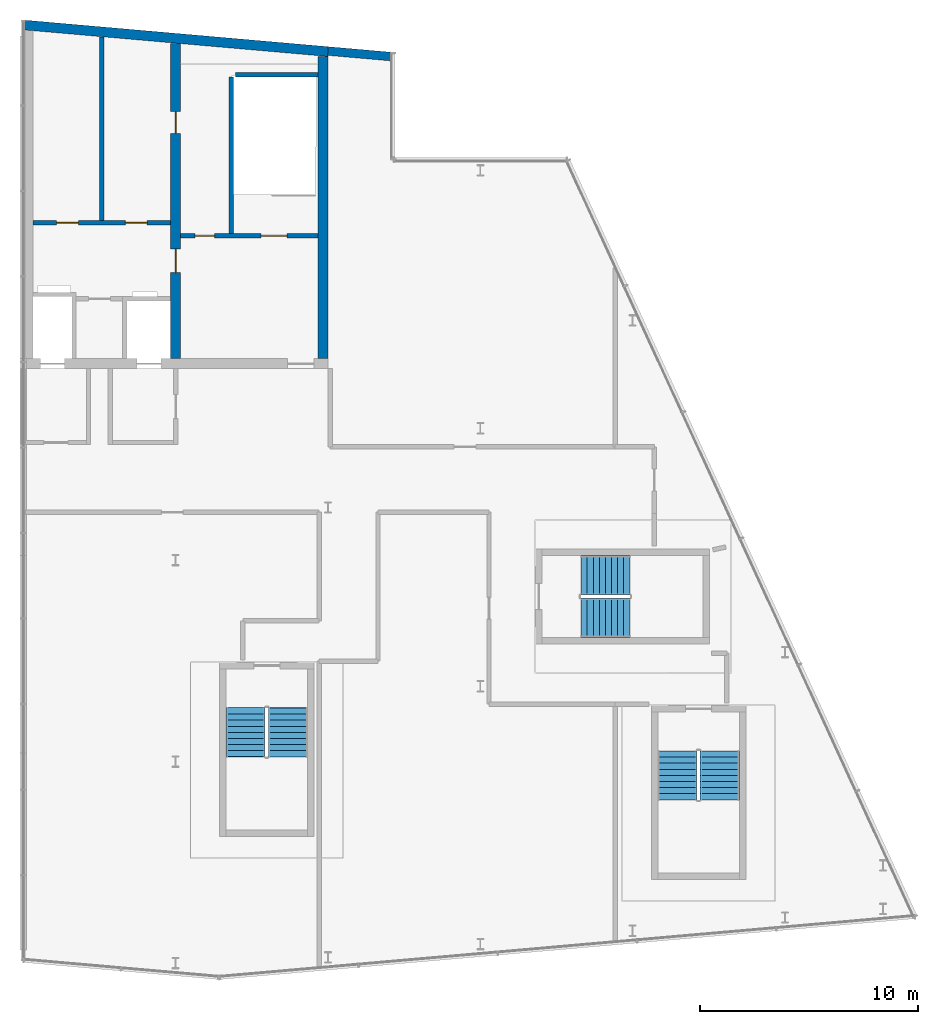
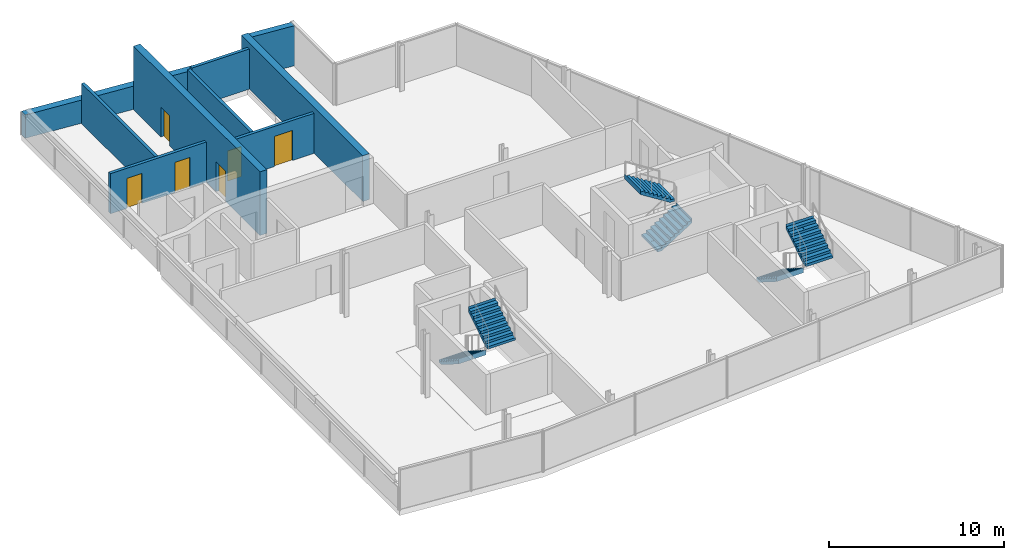
# One storey, part 9 of 10: 9 walls, 6 doors, 6 stair flights, 6 openings, 3 elements without a shape of their own.
"""IFC4 building model written with IfcOpenShell, lengths in metres."""

from ifc_helpers import new_model, si_unit, direction, frame, frame_2d, origin, place, context, subcontext, project, spatial, polyline, rectangle, outline, extrude, material, layer, layer_set, type_object, element, fill, aggregate, save


model = new_model("IFC4")

# Units and contexts
model_context = context("Model", 3, precision=1e-05, world=origin(), true_north=direction((0.0, 1.0)))
body_context = subcontext(model_context, "Body", "Model", "MODEL_VIEW")
ifc_project = project(units=[si_unit("LENGTHUNIT", "METRE"), si_unit("AREAUNIT", "SQUARE_METRE"), si_unit("VOLUMEUNIT", "CUBIC_METRE"), si_unit("PLANEANGLEUNIT", "RADIAN"), si_unit("MASSUNIT", "GRAM", prefix="KILO")], contexts=[model_context])

# Site, building, storey
site_placement = place(None, origin())
site = spatial("IfcSite", under=ifc_project, at=site_placement, CompositionType="ELEMENT")
building_placement = place(site_placement, origin())
building = spatial("IfcBuilding", under=site, at=building_placement, Name="Wharfspan Tower", CompositionType="ELEMENT")
storey_placement = place(building_placement, frame((0.0, 0.0, 267.5)))
storey = spatial("IfcBuildingStorey", under=building, at=storey_placement, Name="L68", CompositionType="ELEMENT", Elevation=267.5)

# Walls
ifc_material_1 = material(Name="Calcium silicate masonry", Category="masonry")
ifc_layer_1 = layer(ifc_material_1, 0.199951)
ifc_layer_set_1 = layer_set([ifc_layer_1], Name="Calcium silicate masonry")
wall_type_1 = type_object("IfcWallType", Name="Core room wall 200", PredefinedType="PARTITIONING", material=ifc_layer_set_1)
wall_1_placement = place(storey_placement, frame((40.612549, 40.800049, 0.0), z_axis=(0.0, 0.0, 1.0), x_axis=(0.0, 1.0, 0.0)))
element("IfcWall", 1, at=wall_1_placement, inside=storey, type_object=wall_type_1, Name="sw:L68:RP4.1", PredefinedType="PARTITIONING", context=body_context, shape_type="SweptSolid", body=[
    extrude(rectangle(XDim=8.424561, YDim=0.199951, at=frame_2d((4.212402, 0.0))), origin(), (0.0, 0.0, 1.0), 2.800049),
])
ifc_material_2 = material(Name="Concrete C50/60", Category="concrete")
ifc_layer_2 = layer(ifc_material_2, 0.449951)
ifc_layer_set_2 = layer_set([ifc_layer_2], Name="Concrete C50/60")
wall_type_2 = type_object("IfcWallType", Name="Core wall 450 C50/60", PredefinedType="SHEAR", material=ifc_layer_set_2)
wall_2_placement = place(storey_placement, frame((0.0, 0.0, -0.000244)))
element("IfcWall", 2, at=wall_2_placement, inside=storey, type_object=wall_type_2, Name="Core rear wall L68", PredefinedType="SHEAR", context=body_context, shape_type="SweptSolid", body=[
    extrude(outline(polyline([(37.0, 49.560547), (51.0, 48.335693), (51.0, 48.787354), (37.0, 50.012207), (37.0, 49.560547)])), origin(), (0.0, 0.0, 1.0), 1.62207),
])

# Wall, openings, doors
wall_3_placement = place(storey_placement, frame((44.0, 34.449951, 0.0), z_axis=(0.0, 0.0, 1.0), x_axis=(0.0, 1.0, 0.0)))
wall_3 = element("IfcWall", 3, at=wall_3_placement, inside=storey, type_object=wall_type_2, Name="Core cross wall X5 L68", PredefinedType="SHEAR", context=body_context, shape_type="SweptSolid", body=[
    extrude(rectangle(XDim=14.478516, YDim=0.449951, at=frame_2d((7.239258, 0.0))), origin(), (0.0, 0.0, 1.0), 4.450195),
])
opening_1_placement = place(wall_3_placement, frame((3.949951, 0.0, 0.0)))
opening_1 = element("IfcOpeningElement", 4, at=opening_1_placement, cuts=wall_3, Name="Opening CC68.5", PredefinedType="OPENING", context=body_context, shape_type="SweptSolid", body=[
    extrude(rectangle(XDim=1.100098, YDim=2.100098, at=frame_2d((0.550049, 1.050049))), frame((0.0, 0.234863, 0.0), z_axis=(0.0, -1.0, 0.0), x_axis=(1.0, 0.0, 0.0)), (0.0, 0.0, 1.0), 0.469971),
])
opening_2_placement = place(wall_3_placement, frame((10.350098, 0.0, 0.0)))
opening_2 = element("IfcOpeningElement", 5, at=opening_2_placement, cuts=wall_3, Name="Opening CR68.5", PredefinedType="OPENING", context=body_context, shape_type="SweptSolid", body=[
    extrude(rectangle(XDim=1.0, YDim=2.100098, at=frame_2d((0.5, 1.050049))), frame((0.0, 0.234863, 0.0), z_axis=(0.0, -1.0, 0.0), x_axis=(1.0, 0.0, 0.0)), (0.0, 0.0, 1.0), 0.469971),
])
ifc_material_3 = material(Name="Steel door leaf", Category="steel")
door_type_1 = type_object("IfcDoorType", Name="Core corridor door 1100x2100", OperationType="SINGLE_SWING_LEFT", PredefinedType="DOOR", material=ifc_material_3)
door_1_placement = place(opening_1_placement, origin())
door_1 = element("IfcDoor", 6, at=door_1_placement, inside=storey, type_object=door_type_1, Name="xd:L68:5", OperationType="SINGLE_SWING_LEFT", OverallHeight=2.100098, OverallWidth=1.100098, PredefinedType="DOOR", context=body_context, shape_type="SweptSolid", body=[
    extrude(rectangle(XDim=1.100098, YDim=2.100098, at=frame_2d((0.550049, 1.050049))), frame((0.0, 0.024902, 0.0), z_axis=(0.0, -1.0, 0.0), x_axis=(1.0, 0.0, 0.0)), (0.0, 0.0, 1.0), 0.050049),
])
fill(opening_1, door_1)
door_type_2 = type_object("IfcDoorType", Name="Core room door 1000x2100", OperationType="SINGLE_SWING_LEFT", PredefinedType="DOOR", material=ifc_material_3)
door_2_placement = place(opening_2_placement, origin())
door_2 = element("IfcDoor", 7, at=door_2_placement, inside=storey, type_object=door_type_2, Name="xr:L68:5", OperationType="SINGLE_SWING_RIGHT", OverallHeight=2.100098, OverallWidth=1.0, PredefinedType="DOOR", context=body_context, shape_type="SweptSolid", body=[
    extrude(rectangle(XDim=1.0, YDim=2.100098, at=frame_2d((0.5, 1.050049))), frame((0.0, 0.024902, 0.0), z_axis=(0.0, -1.0, 0.0), x_axis=(1.0, 0.0, 0.0)), (0.0, 0.0, 1.0), 0.050049),
])
fill(opening_2, door_2)

# Wall
wall_4_placement = place(storey_placement, frame((50.774902, 34.449951, 0.0), z_axis=(0.0, 0.0, 1.0), x_axis=(0.0, 1.0, 0.0)))
element("IfcWall", 8, at=wall_4_placement, inside=storey, type_object=wall_type_2, Name="Core cross wall EW1 L68", PredefinedType="SHEAR", context=body_context, shape_type="SweptSolid", body=[
    extrude(rectangle(XDim=13.885742, YDim=0.449951, at=frame_2d((6.942871, 0.0))), origin(), (0.0, 0.0, 1.0), 3.199951),
])

# Wall, openings, doors
ifc_material_4 = material(Name="Concrete C30/37", Category="concrete")
ifc_layer_3 = layer(ifc_material_4, 0.199951)
ifc_layer_set_3 = layer_set([ifc_layer_3], Name="Concrete C30/37")
wall_type_3 = type_object("IfcWallType", Name="Lift shaft wall 200", PredefinedType="PARTITIONING", material=ifc_layer_set_3)
wall_5_placement = place(storey_placement, frame((37.449951, 40.699951, 0.0), z_axis=(0.0, 0.0, 1.0), x_axis=(1.0, 0.0, 0.0)))
wall_5 = element("IfcWall", 9, at=wall_5_placement, inside=storey, type_object=wall_type_3, Name="sw:L68:RF4", PredefinedType="PARTITIONING", context=body_context, shape_type="SweptSolid", body=[
    extrude(rectangle(XDim=6.324951, YDim=0.199951, at=frame_2d((3.162598, 0.0))), origin(), (0.0, 0.0, 1.0), 2.800049),
])
opening_3_placement = place(wall_5_placement, frame((1.081299, 0.0, 0.0)))
opening_3 = element("IfcOpeningElement", 10, at=opening_3_placement, cuts=wall_5, Name="Opening CD68.4S", PredefinedType="OPENING", context=body_context, shape_type="SweptSolid", body=[
    extrude(rectangle(XDim=1.0, YDim=2.100098, at=frame_2d((0.5, 1.050049))), frame((0.0, 0.109863, 0.0), z_axis=(0.0, -1.0, 0.0), x_axis=(1.0, 0.0, 0.0)), (0.0, 0.0, 1.0), 0.219971),
])
opening_4_placement = place(wall_5_placement, frame((4.243652, 0.0, 0.0)))
opening_4 = element("IfcOpeningElement", 11, at=opening_4_placement, cuts=wall_5, Name="Opening CD68.4Sa", PredefinedType="OPENING", context=body_context, shape_type="SweptSolid", body=[
    extrude(rectangle(XDim=1.0, YDim=2.100098, at=frame_2d((0.5, 1.050049))), frame((0.0, 0.109863, 0.0), z_axis=(0.0, -1.0, 0.0), x_axis=(1.0, 0.0, 0.0)), (0.0, 0.0, 1.0), 0.219971),
])
door_3_placement = place(opening_3_placement, origin())
door_3 = element("IfcDoor", 12, at=door_3_placement, inside=storey, type_object=door_type_2, Name="d:L68:4:sf", OperationType="SINGLE_SWING_LEFT", OverallHeight=2.100098, OverallWidth=1.0, PredefinedType="DOOR", context=body_context, shape_type="SweptSolid", body=[
    extrude(rectangle(XDim=1.0, YDim=2.100098, at=frame_2d((0.5, 1.050049))), frame((0.0, 0.024902, 0.0), z_axis=(0.0, -1.0, 0.0), x_axis=(1.0, 0.0, 0.0)), (0.0, 0.0, 1.0), 0.050049),
])
fill(opening_3, door_3)
door_4_placement = place(opening_4_placement, origin())
door_4 = element("IfcDoor", 13, at=door_4_placement, inside=storey, type_object=door_type_2, Name="d:L68:4:sf1", OperationType="SINGLE_SWING_LEFT", OverallHeight=2.100098, OverallWidth=1.0, PredefinedType="DOOR", context=body_context, shape_type="SweptSolid", body=[
    extrude(rectangle(XDim=1.0, YDim=2.100098, at=frame_2d((0.5, 1.050049))), frame((0.0, 0.024902, 0.0), z_axis=(0.0, -1.0, 0.0), x_axis=(1.0, 0.0, 0.0)), (0.0, 0.0, 1.0), 0.050049),
])
fill(opening_4, door_4)

ifc_material_5 = material(Name="Concrete C40/50", Category="concrete")
ifc_layer_4 = layer(ifc_material_5, 0.199951)
ifc_layer_set_4 = layer_set([ifc_layer_4], Name="Concrete C40/50")
wall_type_4 = type_object("IfcWallType", Name="Stair shaft wall 200", PredefinedType="SHEAR", material=ifc_layer_set_4)
wall_6_placement = place(storey_placement, frame((44.225098, 40.100098, 0.0), z_axis=(0.0, 0.0, 1.0), x_axis=(1.0, 0.0, 0.0)))
wall_6 = element("IfcWall", 14, at=wall_6_placement, inside=storey, type_object=wall_type_4, Name="ST2 stair enclosure wall L68", PredefinedType="SHEAR", context=body_context, shape_type="SweptSolid", body=[
    extrude(rectangle(XDim=6.324951, YDim=0.199951, at=frame_2d((3.162598, 0.0))), origin(), (0.0, 0.0, 1.0), 2.800049),
])
opening_5_placement = place(wall_6_placement, frame((3.699951, 0.0, 0.0)))
opening_5 = element("IfcOpeningElement", 15, at=opening_5_placement, cuts=wall_6, Name="Opening SD5.L68", PredefinedType="OPENING", context=body_context, shape_type="SweptSolid", body=[
    extrude(rectangle(XDim=1.199951, YDim=2.100098, at=frame_2d((0.600098, 1.050049))), frame((0.0, 0.109863, 0.0), z_axis=(0.0, -1.0, 0.0), x_axis=(1.0, 0.0, 0.0)), (0.0, 0.0, 1.0), 0.219971),
])
opening_6_placement = place(wall_6_placement, frame((0.662598, 0.0, 0.0)))
opening_6 = element("IfcOpeningElement", 16, at=opening_6_placement, cuts=wall_6, Name="Opening CD68.5R", PredefinedType="OPENING", context=body_context, shape_type="SweptSolid", body=[
    extrude(rectangle(XDim=0.899902, YDim=2.100098, at=frame_2d((0.449951, 1.050049))), frame((0.0, 0.109863, 0.0), z_axis=(0.0, -1.0, 0.0), x_axis=(1.0, 0.0, 0.0)), (0.0, 0.0, 1.0), 0.219971),
])
door_5_placement = place(opening_6_placement, origin())
door_5 = element("IfcDoor", 17, at=door_5_placement, inside=storey, type_object=door_type_2, Name="rk:L68:5", OperationType="SINGLE_SWING_LEFT", OverallHeight=2.100098, OverallWidth=0.899902, PredefinedType="DOOR", context=body_context, shape_type="SweptSolid", body=[
    extrude(rectangle(XDim=0.899902, YDim=2.100098, at=frame_2d((0.449951, 1.050049))), frame((0.0, 0.024902, 0.0), z_axis=(0.0, -1.0, 0.0), x_axis=(1.0, 0.0, 0.0)), (0.0, 0.0, 1.0), 0.050049),
])
fill(opening_6, door_5)
door_type_3 = type_object("IfcDoorType", Name="Stair door 1200x2100", OperationType="SINGLE_SWING_LEFT", PredefinedType="DOOR", material=ifc_material_3)
door_6_placement = place(opening_5_placement, origin())
door_6 = element("IfcDoor", 18, at=door_6_placement, inside=storey, type_object=door_type_3, Name="sd:L68:5", OperationType="SINGLE_SWING_RIGHT", OverallHeight=2.100098, OverallWidth=1.199951, PredefinedType="DOOR", context=body_context, shape_type="SweptSolid", body=[
    extrude(rectangle(XDim=1.199951, YDim=2.100098, at=frame_2d((0.600098, 1.050049))), frame((0.0, 0.024902, 0.0), z_axis=(0.0, -1.0, 0.0), x_axis=(1.0, 0.0, 0.0)), (0.0, 0.0, 1.0), 0.050049),
])
fill(opening_5, door_6)

# Walls
wall_7_placement = place(storey_placement, frame((46.550049, 40.199951, 0.0), z_axis=(0.0, 0.0, 1.0), x_axis=(0.0, 1.0, 0.0)))
element("IfcWall", 19, at=wall_7_placement, inside=storey, type_object=wall_type_4, Name="ST2 stair enclosure wall L68", PredefinedType="SHEAR", context=body_context, shape_type="SweptSolid", body=[
    extrude(rectangle(XDim=7.199951, YDim=0.199951, at=frame_2d((3.600098, 0.0))), origin(), (0.0, 0.0, 1.0), 2.800049),
])
wall_8_placement = place(storey_placement, frame((46.75, 47.5, 0.0), z_axis=(0.0, 0.0, 1.0), x_axis=(1.0, 0.0, 0.0)))
element("IfcWall", 20, at=wall_8_placement, inside=storey, type_object=wall_type_4, Name="ST2 stair enclosure wall L68", PredefinedType="SHEAR", context=body_context, shape_type="SweptSolid", body=[
    extrude(rectangle(XDim=3.800049, YDim=0.199951, at=frame_2d((1.899902, 0.0))), origin(), (0.0, 0.0, 1.0), 2.800049),
])
ifc_layer_5 = layer(ifc_material_5, 0.399902)
ifc_layer_set_5 = layer_set([ifc_layer_5], Name="Concrete C40/50")
wall_type_5 = type_object("IfcWallType", Name="WALL EXPOSED CONCRETE 400", PredefinedType="SOLIDWALL", material=ifc_layer_set_5)
wall_9_placement = place(storey_placement, frame((53.982666, 48.325684, 0.0), z_axis=(0.0, 0.0, 1.0), x_axis=(-0.996194, 0.087168, 0.0)))
element("IfcWall", 21, at=wall_9_placement, inside=storey, type_object=wall_type_5, Name="Rear wall N2", PredefinedType="SOLIDWALL", context=body_context, shape_type="SweptSolid", body=[
    extrude(rectangle(XDim=2.994141, YDim=0.399902, at=frame_2d((1.49707, 0.0))), origin(), (0.0, 0.0, 1.0), 2.800049),
])

# Stair, stair flights
stair_type = type_object("IfcStairType", Name="Half-turn stair 18 risers 178 mm", PredefinedType="HALF_TURN_STAIR", material=ifc_material_5)
stair_1_placement = place(storey_placement, origin())
stair_1 = element("IfcStair", 22, at=stair_1_placement, inside=storey, type_object=stair_type, Name="L68 stair ST7", PredefinedType="HALF_TURN_STAIR")
stair_flight_type = type_object("IfcStairFlightType", Name="Stair flight 18 risers 178 mm", PredefinedType="STRAIGHT", material=ifc_material_5)
stair_flight_1_placement = place(storey_placement, frame((67.056641, 16.421631, 0.0), z_axis=(0.0, 0.0, 1.0), x_axis=(0.0, -1.0, 0.0)))
stair_flight_1 = element("IfcStairFlight", 23, at=stair_flight_1_placement, type_object=stair_flight_type, Name="ST7 flight 1", NumberOfRisers=9, NumberOfTreads=8, PredefinedType="STRAIGHT", RiserHeight=0.177778, TreadLength=0.28, context=body_context, shape_type="SweptSolid", body=[
    extrude(outline(polyline([(-0.011963, 0.0), (-0.011963, 0.177734), (0.0, 0.177734), (0.280029, 0.177734), (0.280029, 0.355469), (0.560059, 0.355469), (0.560059, 0.533447), (0.840088, 0.533447), (0.840088, 0.711182), (1.120117, 0.711182), (1.120117, 0.888916), (1.399902, 0.888916), (1.399902, 1.06665), (1.679932, 1.06665), (1.679932, 1.244385), (1.959961, 1.244385), (1.959961, 1.422119), (2.23999, 1.422119), (2.251953, 1.600098), (2.251953, 1.244629), (0.279785, 0.0), (-0.011963, 0.0)])), frame((0.0, 0.899902, 0.0), z_axis=(0.0, -1.0, 0.0), x_axis=(1.0, 0.0, 0.0)), (0.0, 0.0, 1.0), 0.899414),
    extrude(outline(polyline([(-0.011963, 0.0), (-0.011963, 0.177734), (0.0, 0.177734), (0.280029, 0.177734), (0.280029, 0.355469), (0.560059, 0.355469), (0.560059, 0.533447), (0.840088, 0.533447), (0.840088, 0.711182), (1.120117, 0.711182), (1.120117, 0.888916), (1.399902, 0.888916), (1.399902, 1.06665), (1.679932, 1.06665), (1.679932, 1.244385), (1.959961, 1.244385), (1.959961, 1.422119), (2.23999, 1.422119), (2.251953, 1.600098), (2.251953, 1.244629), (0.279785, 0.0), (-0.011963, 0.0)])), frame((0.0, -0.000488, 0.0), z_axis=(0.0, -1.0, 0.0), x_axis=(1.0, 0.0, 0.0)), (0.0, 0.0, 1.0), 0.899414),
])
stair_flight_2_placement = place(storey_placement, frame((69.006592, 14.181641, 1.600098), z_axis=(0.0, 0.0, 1.0), x_axis=(0.0, 1.0, 0.0)))
stair_flight_2 = element("IfcStairFlight", 24, at=stair_flight_2_placement, type_object=stair_flight_type, Name="ST7 flight 2", NumberOfRisers=9, NumberOfTreads=8, PredefinedType="STRAIGHT", RiserHeight=0.177778, TreadLength=0.28, context=body_context, shape_type="SweptSolid", body=[
    extrude(outline(polyline([(-0.011963, 0.0), (-0.011963, 0.177734), (0.0, 0.177734), (0.280029, 0.177734), (0.280029, 0.355469), (0.560059, 0.355469), (0.560059, 0.533447), (0.840088, 0.533447), (0.840088, 0.711182), (1.120117, 0.711182), (1.120117, 0.888916), (1.399902, 0.888916), (1.399902, 1.06665), (1.679932, 1.06665), (1.679932, 1.244385), (1.959961, 1.244385), (1.959961, 1.422119), (2.23999, 1.422119), (2.251953, 1.600098), (2.251953, 1.244629), (0.279785, 0.0), (-0.011963, 0.0)])), frame((0.0, 0.899902, 0.0), z_axis=(0.0, -1.0, 0.0), x_axis=(1.0, 0.0, 0.0)), (0.0, 0.0, 1.0), 0.899414),
    extrude(outline(polyline([(-0.011963, 0.0), (-0.011963, 0.177734), (0.0, 0.177734), (0.280029, 0.177734), (0.280029, 0.355469), (0.560059, 0.355469), (0.560059, 0.533447), (0.840088, 0.533447), (0.840088, 0.711182), (1.120117, 0.711182), (1.120117, 0.888916), (1.399902, 0.888916), (1.399902, 1.06665), (1.679932, 1.06665), (1.679932, 1.244385), (1.959961, 1.244385), (1.959961, 1.422119), (2.23999, 1.422119), (2.251953, 1.600098), (2.251953, 1.244629), (0.279785, 0.0), (-0.011963, 0.0)])), frame((0.0, -0.000488, 0.0), z_axis=(0.0, -1.0, 0.0), x_axis=(1.0, 0.0, 0.0)), (0.0, 0.0, 1.0), 0.899414),
])
aggregate(stair_1, [stair_flight_1, stair_flight_2])

stair_2_placement = place(storey_placement, origin())
stair_2 = element("IfcStair", 25, at=stair_2_placement, inside=storey, type_object=stair_type, Name="L68 stair ST8", PredefinedType="HALF_TURN_STAIR")
stair_flight_3_placement = place(storey_placement, frame((62.631592, 22.546631, 0.0), z_axis=(0.0, 0.0, 1.0), x_axis=(1.0, 0.0, 0.0)))
stair_flight_3 = element("IfcStairFlight", 26, at=stair_flight_3_placement, type_object=stair_flight_type, Name="ST8 flight 1", NumberOfRisers=9, NumberOfTreads=8, PredefinedType="STRAIGHT", RiserHeight=0.177778, TreadLength=0.28, context=body_context, shape_type="SweptSolid", body=[
    extrude(outline(polyline([(-0.011963, 0.0), (-0.011963, 0.177734), (0.0, 0.177734), (0.280029, 0.177734), (0.280029, 0.355469), (0.560059, 0.355469), (0.560059, 0.533447), (0.840088, 0.533447), (0.840088, 0.711182), (1.120117, 0.711182), (1.120117, 0.888916), (1.399902, 0.888916), (1.399902, 1.06665), (1.679932, 1.06665), (1.679932, 1.244385), (1.959961, 1.244385), (1.959961, 1.422119), (2.23999, 1.422119), (2.251953, 1.600098), (2.251953, 1.244629), (0.279785, 0.0), (-0.011963, 0.0)])), frame((0.0, 0.899902, 0.0), z_axis=(0.0, -1.0, 0.0), x_axis=(1.0, 0.0, 0.0)), (0.0, 0.0, 1.0), 0.899414),
    extrude(outline(polyline([(-0.011963, 0.0), (-0.011963, 0.177734), (0.0, 0.177734), (0.280029, 0.177734), (0.280029, 0.355469), (0.560059, 0.355469), (0.560059, 0.533447), (0.840088, 0.533447), (0.840088, 0.711182), (1.120117, 0.711182), (1.120117, 0.888916), (1.399902, 0.888916), (1.399902, 1.06665), (1.679932, 1.06665), (1.679932, 1.244385), (1.959961, 1.244385), (1.959961, 1.422119), (2.23999, 1.422119), (2.251953, 1.600098), (2.251953, 1.244629), (0.279785, 0.0), (-0.011963, 0.0)])), frame((0.0, -0.000488, 0.0), z_axis=(0.0, -1.0, 0.0), x_axis=(1.0, 0.0, 0.0)), (0.0, 0.0, 1.0), 0.899414),
])
stair_flight_4_placement = place(storey_placement, frame((64.871582, 24.496826, 1.600098), z_axis=(0.0, 0.0, 1.0), x_axis=(-1.0, 0.0, 0.0)))
stair_flight_4 = element("IfcStairFlight", 27, at=stair_flight_4_placement, type_object=stair_flight_type, Name="ST8 flight 2", NumberOfRisers=9, NumberOfTreads=8, PredefinedType="STRAIGHT", RiserHeight=0.177778, TreadLength=0.28, context=body_context, shape_type="SweptSolid", body=[
    extrude(outline(polyline([(-0.011963, 0.0), (-0.011963, 0.177734), (0.0, 0.177734), (0.280029, 0.177734), (0.280029, 0.355469), (0.560059, 0.355469), (0.560059, 0.533447), (0.840088, 0.533447), (0.840088, 0.711182), (1.120117, 0.711182), (1.120117, 0.888916), (1.399902, 0.888916), (1.399902, 1.06665), (1.679932, 1.06665), (1.679932, 1.244385), (1.959961, 1.244385), (1.959961, 1.422119), (2.23999, 1.422119), (2.251953, 1.600098), (2.251953, 1.244629), (0.279785, 0.0), (-0.011963, 0.0)])), frame((0.0, 0.899902, 0.0), z_axis=(0.0, -1.0, 0.0), x_axis=(1.0, 0.0, 0.0)), (0.0, 0.0, 1.0), 0.899414),
    extrude(outline(polyline([(-0.011963, 0.0), (-0.011963, 0.177734), (0.0, 0.177734), (0.280029, 0.177734), (0.280029, 0.355469), (0.560059, 0.355469), (0.560059, 0.533447), (0.840088, 0.533447), (0.840088, 0.711182), (1.120117, 0.711182), (1.120117, 0.888916), (1.399902, 0.888916), (1.399902, 1.06665), (1.679932, 1.06665), (1.679932, 1.244385), (1.959961, 1.244385), (1.959961, 1.422119), (2.23999, 1.422119), (2.251953, 1.600098), (2.251953, 1.244629), (0.279785, 0.0), (-0.011963, 0.0)])), frame((0.0, -0.000488, 0.0), z_axis=(0.0, -1.0, 0.0), x_axis=(1.0, 0.0, 0.0)), (0.0, 0.0, 1.0), 0.899414),
])
aggregate(stair_2, [stair_flight_3, stair_flight_4])

stair_3_placement = place(storey_placement, origin())
stair_3 = element("IfcStair", 28, at=stair_3_placement, inside=storey, type_object=stair_type, Name="L68 stair ST9", PredefinedType="HALF_TURN_STAIR")
stair_flight_5_placement = place(storey_placement, frame((47.216064, 18.400391, 0.0), z_axis=(0.0, 0.0, 1.0), x_axis=(0.0, -1.0, 0.0)))
stair_flight_5 = element("IfcStairFlight", 29, at=stair_flight_5_placement, type_object=stair_flight_type, Name="ST9 flight 1", NumberOfRisers=9, NumberOfTreads=8, PredefinedType="STRAIGHT", RiserHeight=0.177778, TreadLength=0.28, context=body_context, shape_type="SweptSolid", body=[
    extrude(outline(polyline([(-0.011963, 0.0), (-0.011963, 0.177734), (0.0, 0.177734), (0.280029, 0.177734), (0.280029, 0.355469), (0.560059, 0.355469), (0.560059, 0.533447), (0.840088, 0.533447), (0.840088, 0.711182), (1.120117, 0.711182), (1.120117, 0.888916), (1.399902, 0.888916), (1.399902, 1.06665), (1.679932, 1.06665), (1.679932, 1.244385), (1.959961, 1.244385), (1.959961, 1.422119), (2.23999, 1.422119), (2.251953, 1.600098), (2.251953, 1.244629), (0.279785, 0.0), (-0.011963, 0.0)])), frame((0.0, 0.899902, 0.0), z_axis=(0.0, -1.0, 0.0), x_axis=(1.0, 0.0, 0.0)), (0.0, 0.0, 1.0), 0.899414),
    extrude(outline(polyline([(-0.011963, 0.0), (-0.011963, 0.177734), (0.0, 0.177734), (0.280029, 0.177734), (0.280029, 0.355469), (0.560059, 0.355469), (0.560059, 0.533447), (0.840088, 0.533447), (0.840088, 0.711182), (1.120117, 0.711182), (1.120117, 0.888916), (1.399902, 0.888916), (1.399902, 1.06665), (1.679932, 1.06665), (1.679932, 1.244385), (1.959961, 1.244385), (1.959961, 1.422119), (2.23999, 1.422119), (2.251953, 1.600098), (2.251953, 1.244629), (0.279785, 0.0), (-0.011963, 0.0)])), frame((0.0, -0.000488, 0.0), z_axis=(0.0, -1.0, 0.0), x_axis=(1.0, 0.0, 0.0)), (0.0, 0.0, 1.0), 0.899414),
])
stair_flight_6_placement = place(storey_placement, frame((49.166016, 16.1604, 1.600098), z_axis=(0.0, 0.0, 1.0), x_axis=(0.0, 1.0, 0.0)))
stair_flight_6 = element("IfcStairFlight", 30, at=stair_flight_6_placement, type_object=stair_flight_type, Name="ST9 flight 2", NumberOfRisers=9, NumberOfTreads=8, PredefinedType="STRAIGHT", RiserHeight=0.177778, TreadLength=0.28, context=body_context, shape_type="SweptSolid", body=[
    extrude(outline(polyline([(-0.011963, 0.0), (-0.011963, 0.177734), (0.0, 0.177734), (0.280029, 0.177734), (0.280029, 0.355469), (0.560059, 0.355469), (0.560059, 0.533447), (0.840088, 0.533447), (0.840088, 0.711182), (1.120117, 0.711182), (1.120117, 0.888916), (1.399902, 0.888916), (1.399902, 1.06665), (1.679932, 1.06665), (1.679932, 1.244385), (1.959961, 1.244385), (1.959961, 1.422119), (2.23999, 1.422119), (2.251953, 1.600098), (2.251953, 1.244629), (0.279785, 0.0), (-0.011963, 0.0)])), frame((0.0, 0.899902, 0.0), z_axis=(0.0, -1.0, 0.0), x_axis=(1.0, 0.0, 0.0)), (0.0, 0.0, 1.0), 0.899414),
    extrude(outline(polyline([(-0.011963, 0.0), (-0.011963, 0.177734), (0.0, 0.177734), (0.280029, 0.177734), (0.280029, 0.355469), (0.560059, 0.355469), (0.560059, 0.533447), (0.840088, 0.533447), (0.840088, 0.711182), (1.120117, 0.711182), (1.120117, 0.888916), (1.399902, 0.888916), (1.399902, 1.06665), (1.679932, 1.06665), (1.679932, 1.244385), (1.959961, 1.244385), (1.959961, 1.422119), (2.23999, 1.422119), (2.251953, 1.600098), (2.251953, 1.244629), (0.279785, 0.0), (-0.011963, 0.0)])), frame((0.0, -0.000488, 0.0), z_axis=(0.0, -1.0, 0.0), x_axis=(1.0, 0.0, 0.0)), (0.0, 0.0, 1.0), 0.899414),
])
aggregate(stair_3, [stair_flight_5, stair_flight_6])

save(model, "model.ifc")
